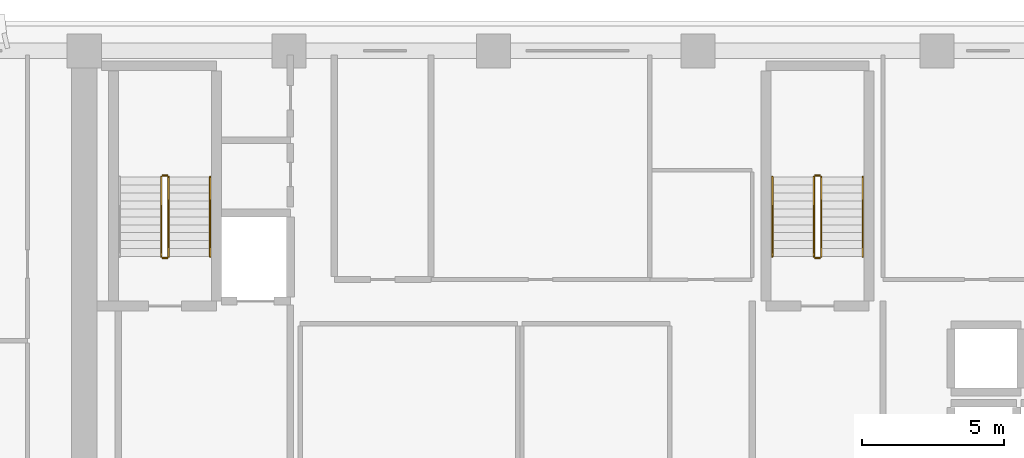
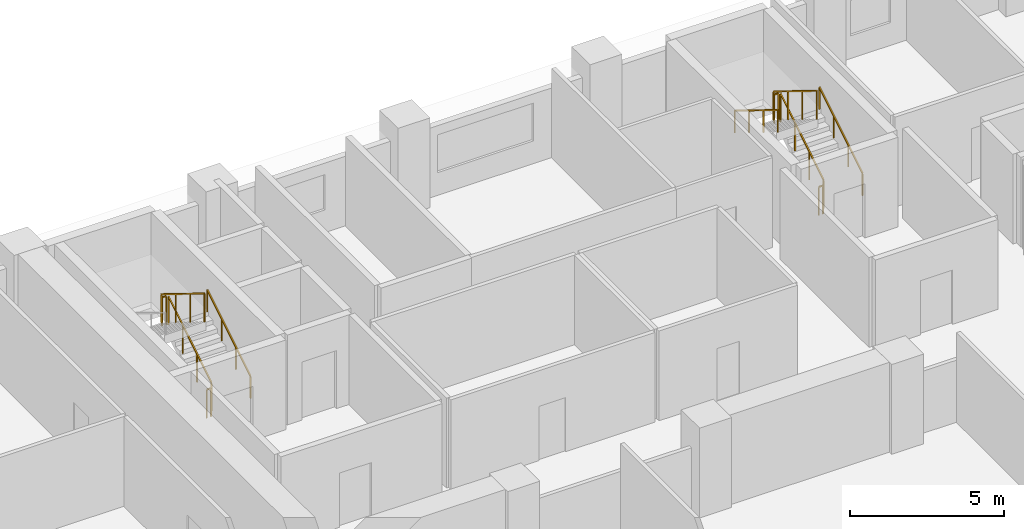
# One storey, part 13 of 15: 11 railings.
"""IFC4 building model written with IfcOpenShell, lengths in metres."""

from ifc_helpers import new_model, si_unit, direction, frame, origin, origin_2d, place, context, subcontext, project, spatial, rectangle, extrude, material, type_object, element, save


model = new_model("IFC4")

# Units and contexts
model_context = context("Model", 3, precision=1e-05, world=origin(), true_north=direction((0.0, 1.0)))
body_context = subcontext(model_context, "Body", "Model", "MODEL_VIEW")
ifc_project = project(units=[si_unit("LENGTHUNIT", "METRE"), si_unit("AREAUNIT", "SQUARE_METRE"), si_unit("VOLUMEUNIT", "CUBIC_METRE"), si_unit("PLANEANGLEUNIT", "RADIAN"), si_unit("MASSUNIT", "GRAM", prefix="KILO")], contexts=[model_context])

# Site, building, storey
site_placement = place(None, origin())
site = spatial("IfcSite", under=ifc_project, at=site_placement, CompositionType="ELEMENT")
building_placement = place(site_placement, origin())
building = spatial("IfcBuilding", under=site, at=building_placement, Name="Kaelvorn Grand Hotel", CompositionType="ELEMENT")
storey_placement = place(building_placement, frame((0.0, 0.0, 142.949951171875)))
storey = spatial("IfcBuildingStorey", under=building, at=storey_placement, Name="L34", CompositionType="ELEMENT", Elevation=142.949951171875)

# Railings
ifc_material = material(Name="Stainless Steel", Category="steel")
railing_type_1 = type_object("IfcRailingType", Name="RL-HANDRAIL-900", PredefinedType="HANDRAIL", material=ifc_material)
for number, where, name in (
    (1, (20.6298828125, 41.760009765625, 0.1728515625), "L34 ST1 stair handrail 1"),
    (2, (43.590087890625, 41.760009765625, 0.1728515625), "L34 ST2 stair handrail 1"),
):
    element("IfcRailing", number, at=place(storey_placement, frame(where)), inside=storey, type_object=railing_type_1, Name=name, PredefinedType="HANDRAIL", context=body_context, shape_type="SweptSolid", body=[
        extrude(rectangle(XDim=0.048095703125, YDim=0.048095703125, at=origin_2d()), frame((0.0, 0.0, 0.8759765625), z_axis=(0.0, 0.851089632645, 0.525020415988), x_axis=(-1.0, 0.0, 0.0)), (0.0, 0.0, 1.0), 3.2900390625),
        extrude(rectangle(XDim=0.0419921875, YDim=0.0419921875, at=origin_2d()), origin(), (0.0, 0.0, 1.0), 0.851806640625),
        extrude(rectangle(XDim=0.0419921875, YDim=0.0419921875, at=origin_2d()), frame((0.0, 0.933349609375, 0.57568359375)), (0.0, 0.0, 1.0), 0.851806640625),
        extrude(rectangle(XDim=0.0419921875, YDim=0.0419921875, at=origin_2d()), frame((0.0, 1.86669921875, 1.151611328125)), (0.0, 0.0, 1.0), 0.851806640625),
        extrude(rectangle(XDim=0.0419921875, YDim=0.0419921875, at=origin_2d()), frame((0.0, 2.800048828125, 1.727294921875)), (0.0, 0.0, 1.0), 0.851806640625),
    ])
railing_1_placement = place(storey_placement, frame((40.409912109375, 44.56005859375, 2.07275390625)))
element("IfcRailing", 3, at=railing_1_placement, inside=storey, type_object=railing_type_1, Name="L34 ST2 stair handrail 2", PredefinedType="HANDRAIL", context=body_context, shape_type="SweptSolid", body=[
    extrude(rectangle(XDim=0.048095703125, YDim=0.048095703125, at=origin_2d()), frame((0.0, 0.0, 0.8759765625), z_axis=(0.0, -0.851089632645, 0.525020415988), x_axis=(1.0, 0.0, 0.0)), (0.0, 0.0, 1.0), 3.2900390625),
    extrude(rectangle(XDim=0.0419921875, YDim=0.0419921875, at=origin_2d()), origin(), (0.0, 0.0, 1.0), 0.851806640625),
    extrude(rectangle(XDim=0.0419921875, YDim=0.0419921875, at=origin_2d()), frame((0.0, -0.933349609375, 0.57568359375)), (0.0, 0.0, 1.0), 0.851806640625),
    extrude(rectangle(XDim=0.0419921875, YDim=0.0419921875, at=origin_2d()), frame((0.0, -1.86669921875, 1.151611328125)), (0.0, 0.0, 1.0), 0.851806640625),
    extrude(rectangle(XDim=0.0419921875, YDim=0.0419921875, at=origin_2d()), frame((0.0, -2.800048828125, 1.727294921875)), (0.0, 0.0, 1.0), 0.851806640625),
])
railing_type_2 = type_object("IfcRailingType", Name="RL-STAIR-GUARD-1150", PredefinedType="BALUSTRADE", material=ifc_material)
railing_2_placement = place(storey_placement, frame((19.169921875, 41.760009765625, 0.1728515625)))
element("IfcRailing", 4, at=railing_2_placement, inside=storey, type_object=railing_type_2, Name="L34 ST1 stair guard 1", PredefinedType="BALUSTRADE", context=body_context, shape_type="SweptSolid", body=[
    extrude(rectangle(XDim=0.048095703125, YDim=0.048095703125, at=origin_2d()), frame((0.0, 0.0, 1.1259765625), z_axis=(0.0, 0.851089632645, 0.525020415988), x_axis=(-1.0, 0.0, 0.0)), (0.0, 0.0, 1.0), 3.2900390625),
    extrude(rectangle(XDim=0.0419921875, YDim=0.0419921875, at=origin_2d()), origin(), (0.0, 0.0, 1.0), 1.101806640625),
    extrude(rectangle(XDim=0.0419921875, YDim=0.0419921875, at=origin_2d()), frame((0.0, 0.933349609375, 0.57568359375)), (0.0, 0.0, 1.0), 1.101806640625),
    extrude(rectangle(XDim=0.0419921875, YDim=0.0419921875, at=origin_2d()), frame((0.0, 1.86669921875, 1.151611328125)), (0.0, 0.0, 1.0), 1.101806640625),
    extrude(rectangle(XDim=0.0419921875, YDim=0.0419921875, at=origin_2d()), frame((0.0, 2.800048828125, 1.727294921875)), (0.0, 0.0, 1.0), 1.101806640625),
])
railing_3_placement = place(storey_placement, frame((19.1201171875, 44.610107421875, 1.900146484375)))
element("IfcRailing", 5, at=railing_3_placement, inside=storey, type_object=railing_type_2, Name="L34 ST1 stair guard 2", PredefinedType="BALUSTRADE", context=body_context, shape_type="SweptSolid", body=[
    extrude(rectangle(XDim=0.048095703125, YDim=0.048095703125, at=origin_2d()), frame((0.0, 0.0, 1.1259765625), z_axis=(-1.0, 0.0, 0.0), x_axis=(0.0, -1.0, 0.0)), (0.0, 0.0, 1.0), 0.16015625),
    extrude(rectangle(XDim=0.0419921875, YDim=0.0419921875, at=origin_2d()), origin(), (0.0, 0.0, 1.0), 1.101806640625),
    extrude(rectangle(XDim=0.0419921875, YDim=0.0419921875, at=origin_2d()), frame((-0.16015625, 0.0, 0.0)), (0.0, 0.0, 1.0), 1.101806640625),
])
railing_4_placement = place(storey_placement, frame((18.909912109375, 44.56005859375, 2.07275390625)))
element("IfcRailing", 6, at=railing_4_placement, inside=storey, type_object=railing_type_2, Name="L34 ST1 stair guard 3", PredefinedType="BALUSTRADE", context=body_context, shape_type="SweptSolid", body=[
    extrude(rectangle(XDim=0.048095703125, YDim=0.048095703125, at=origin_2d()), frame((0.0, 0.0, 1.1259765625), z_axis=(0.0, -0.851089632645, 0.525020415988), x_axis=(1.0, 0.0, 0.0)), (0.0, 0.0, 1.0), 3.2900390625),
    extrude(rectangle(XDim=0.0419921875, YDim=0.0419921875, at=origin_2d()), origin(), (0.0, 0.0, 1.0), 1.101806640625),
    extrude(rectangle(XDim=0.0419921875, YDim=0.0419921875, at=origin_2d()), frame((0.0, -0.933349609375, 0.57568359375)), (0.0, 0.0, 1.0), 1.101806640625),
    extrude(rectangle(XDim=0.0419921875, YDim=0.0419921875, at=origin_2d()), frame((0.0, -1.86669921875, 1.151611328125)), (0.0, 0.0, 1.0), 1.101806640625),
    extrude(rectangle(XDim=0.0419921875, YDim=0.0419921875, at=origin_2d()), frame((0.0, -2.800048828125, 1.727294921875)), (0.0, 0.0, 1.0), 1.101806640625),
])
railing_5_placement = place(storey_placement, frame((19.1201171875, 41.7099609375, 0.0)))
element("IfcRailing", 7, at=railing_5_placement, inside=storey, type_object=railing_type_2, Name="L34 ST1 stair guard 4", PredefinedType="BALUSTRADE", context=body_context, shape_type="SweptSolid", body=[
    extrude(rectangle(XDim=0.048095703125, YDim=0.048095703125, at=origin_2d()), frame((0.0, 0.0, 1.1259765625), z_axis=(-1.0, 0.0, 0.0), x_axis=(0.0, -1.0, 0.0)), (0.0, 0.0, 1.0), 0.16015625),
    extrude(rectangle(XDim=0.0419921875, YDim=0.0419921875, at=origin_2d()), origin(), (0.0, 0.0, 1.0), 1.101806640625),
    extrude(rectangle(XDim=0.0419921875, YDim=0.0419921875, at=origin_2d()), frame((-0.16015625, 0.0, 0.0)), (0.0, 0.0, 1.0), 1.101806640625),
])
railing_6_placement = place(storey_placement, frame((42.1298828125, 41.760009765625, 0.1728515625)))
element("IfcRailing", 8, at=railing_6_placement, inside=storey, type_object=railing_type_2, Name="L34 ST2 stair guard 1", PredefinedType="BALUSTRADE", context=body_context, shape_type="SweptSolid", body=[
    extrude(rectangle(XDim=0.048095703125, YDim=0.048095703125, at=origin_2d()), frame((0.0, 0.0, 1.1259765625), z_axis=(0.0, 0.851089632645, 0.525020415988), x_axis=(-1.0, 0.0, 0.0)), (0.0, 0.0, 1.0), 3.2900390625),
    extrude(rectangle(XDim=0.0419921875, YDim=0.0419921875, at=origin_2d()), origin(), (0.0, 0.0, 1.0), 1.101806640625),
    extrude(rectangle(XDim=0.0419921875, YDim=0.0419921875, at=origin_2d()), frame((0.0, 0.933349609375, 0.57568359375)), (0.0, 0.0, 1.0), 1.101806640625),
    extrude(rectangle(XDim=0.0419921875, YDim=0.0419921875, at=origin_2d()), frame((0.0, 1.86669921875, 1.151611328125)), (0.0, 0.0, 1.0), 1.101806640625),
    extrude(rectangle(XDim=0.0419921875, YDim=0.0419921875, at=origin_2d()), frame((0.0, 2.800048828125, 1.727294921875)), (0.0, 0.0, 1.0), 1.101806640625),
])
railing_7_placement = place(storey_placement, frame((42.080078125, 44.610107421875, 1.900146484375)))
element("IfcRailing", 9, at=railing_7_placement, inside=storey, type_object=railing_type_2, Name="L34 ST2 stair guard 2", PredefinedType="BALUSTRADE", context=body_context, shape_type="SweptSolid", body=[
    extrude(rectangle(XDim=0.048095703125, YDim=0.048095703125, at=origin_2d()), frame((0.0, 0.0, 1.1259765625), z_axis=(-1.0, 0.0, 0.0), x_axis=(0.0, -1.0, 0.0)), (0.0, 0.0, 1.0), 0.16015625),
    extrude(rectangle(XDim=0.0419921875, YDim=0.0419921875, at=origin_2d()), origin(), (0.0, 0.0, 1.0), 1.101806640625),
    extrude(rectangle(XDim=0.0419921875, YDim=0.0419921875, at=origin_2d()), frame((-0.16015625, 0.0, 0.0)), (0.0, 0.0, 1.0), 1.101806640625),
])
railing_8_placement = place(storey_placement, frame((41.8701171875, 44.56005859375, 2.07275390625)))
element("IfcRailing", 10, at=railing_8_placement, inside=storey, type_object=railing_type_2, Name="L34 ST2 stair guard 3", PredefinedType="BALUSTRADE", context=body_context, shape_type="SweptSolid", body=[
    extrude(rectangle(XDim=0.048095703125, YDim=0.048095703125, at=origin_2d()), frame((0.0, 0.0, 1.1259765625), z_axis=(0.0, -0.851089632645, 0.525020415988), x_axis=(1.0, 0.0, 0.0)), (0.0, 0.0, 1.0), 3.2900390625),
    extrude(rectangle(XDim=0.0419921875, YDim=0.0419921875, at=origin_2d()), origin(), (0.0, 0.0, 1.0), 1.101806640625),
    extrude(rectangle(XDim=0.0419921875, YDim=0.0419921875, at=origin_2d()), frame((0.0, -0.933349609375, 0.57568359375)), (0.0, 0.0, 1.0), 1.101806640625),
    extrude(rectangle(XDim=0.0419921875, YDim=0.0419921875, at=origin_2d()), frame((0.0, -1.86669921875, 1.151611328125)), (0.0, 0.0, 1.0), 1.101806640625),
    extrude(rectangle(XDim=0.0419921875, YDim=0.0419921875, at=origin_2d()), frame((0.0, -2.800048828125, 1.727294921875)), (0.0, 0.0, 1.0), 1.101806640625),
])
railing_9_placement = place(storey_placement, frame((42.080078125, 41.7099609375, 0.0)))
element("IfcRailing", 11, at=railing_9_placement, inside=storey, type_object=railing_type_2, Name="L34 ST2 stair guard 4", PredefinedType="BALUSTRADE", context=body_context, shape_type="SweptSolid", body=[
    extrude(rectangle(XDim=0.048095703125, YDim=0.048095703125, at=origin_2d()), frame((0.0, 0.0, 1.1259765625), z_axis=(-1.0, 0.0, 0.0), x_axis=(0.0, -1.0, 0.0)), (0.0, 0.0, 1.0), 0.16015625),
    extrude(rectangle(XDim=0.0419921875, YDim=0.0419921875, at=origin_2d()), origin(), (0.0, 0.0, 1.0), 1.101806640625),
    extrude(rectangle(XDim=0.0419921875, YDim=0.0419921875, at=origin_2d()), frame((-0.16015625, 0.0, 0.0)), (0.0, 0.0, 1.0), 1.101806640625),
])

save(model, "model.ifc")
